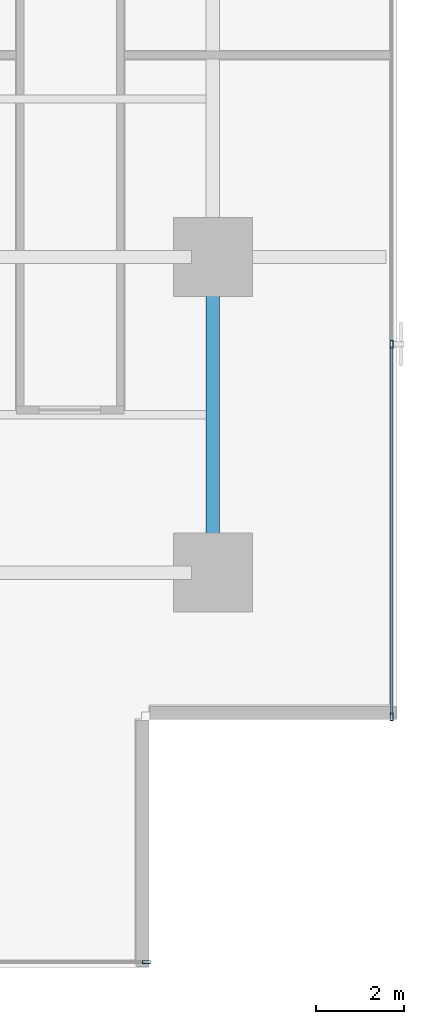
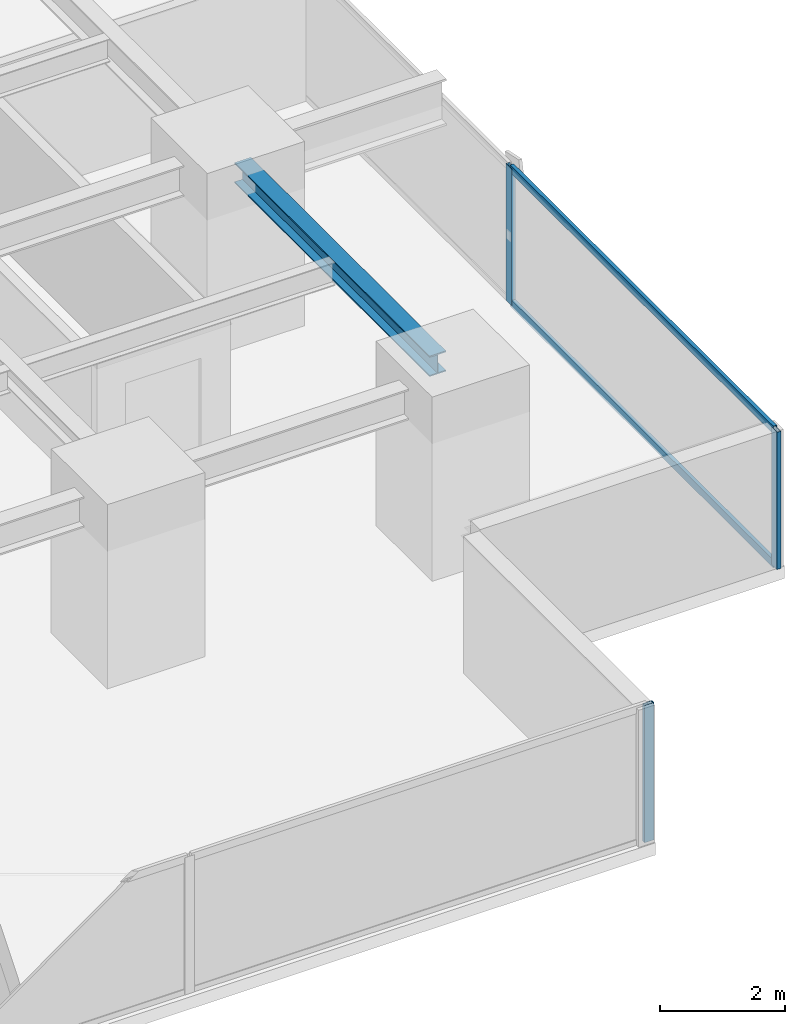
# One storey, part 13 of 33: 5 members, 1 beam, 2 elements without a shape of their own.
"""IFC4 building model written with IfcOpenShell, lengths in metres."""

from ifc_helpers import new_model, si_unit, direction, frame, origin, origin_2d, place, context, subcontext, project, spatial, hollow_rectangle, i_section, extrude, source, transform, mapped, material, layer, layer_set, material_profile, profile_set, type_object, element, aggregate, save


model = new_model("IFC4")

# Units and contexts
model_context = context("Model", 3, precision=1e-05, world=origin(), true_north=direction((0.0, 1.0)))
body_context = subcontext(model_context, "Body", "Model", "MODEL_VIEW")
ifc_project = project(units=[si_unit("LENGTHUNIT", "METRE"), si_unit("AREAUNIT", "SQUARE_METRE"), si_unit("VOLUMEUNIT", "CUBIC_METRE"), si_unit("PLANEANGLEUNIT", "RADIAN"), si_unit("MASSUNIT", "GRAM", prefix="KILO")], contexts=[model_context])

# Site, building, storey
site_placement = place(None, origin())
site = spatial("IfcSite", under=ifc_project, at=site_placement, CompositionType="ELEMENT")
building_placement = place(site_placement, origin())
building = spatial("IfcBuilding", under=site, at=building_placement, Name="Sumidabori Civic Tower", CompositionType="ELEMENT")
storey_placement = place(building_placement, frame((0.0, 0.0, 66.800048828125)))
storey = spatial("IfcBuildingStorey", under=building, at=storey_placement, Name="L17", CompositionType="ELEMENT", Elevation=66.800048828125)

# Beam
ifc_material_1 = material(Name="Steel SN490", Category="steel")
ifc_material_profile_1 = material_profile(ifc_material_1, i_section(OverallWidth=0.300048828125, OverallDepth=0.39990234375, WebThickness=0.013427734375, FlangeThickness=0.02392578125, at=origin_2d()), Name="HE 400 B")
ifc_profile_set_1 = profile_set([ifc_material_profile_1], Name="Steel SN490")
beam_type = type_object("IfcBeamType", Name="BM-GIRD-400", PredefinedType="BEAM", material=ifc_profile_set_1)
shared_shape_1 = source(origin(), body_context, "Body", "SweptSolid", [
    extrude(i_section(OverallWidth=0.300048828125, OverallDepth=0.39990234375, WebThickness=0.013427734375, FlangeThickness=0.02392578125, at=origin_2d()), origin(), (0.0, 0.0, 1.0), 6.239990234375),
])
beam_placement = place(storey_placement, frame((22.800048828125, -17.52001953125, 3.099853515625), z_axis=(0.0, 1.0, 0.0), x_axis=(-1.0, 0.0, 0.0)))
element("IfcBeam", 1, at=beam_placement, inside=storey, type_object=beam_type, Name="Primary Girder L17 GY-39", PredefinedType="BEAM", context=body_context, shape_type="MappedRepresentation", body=[
    mapped(shared_shape_1, transform((0.0, 0.0, 0.0), x_axis=(1.0, 0.0, 0.0), y_axis=(0.0, 1.0, 0.0), z_axis=(0.0, 0.0, 1.0), scale=1.0)),
])

# Curtain wall, members
ifc_material_2 = material(Name="Anodised Bronze Aluminium AW-6063-T6", Category="aluminium")
ifc_layer = layer(ifc_material_2, 0.179931640625, Name="Anodised Bronze Aluminium AW-6063-T6")
ifc_layer_set = layer_set([ifc_layer], Name="Anodised Bronze Aluminium AW-6063-T6")
curtain_wall_type = type_object("IfcCurtainWallType", Name="CW-SYS-2", PredefinedType="NOTDEFINED", material=ifc_layer_set)
curtain_wall_1_placement = place(storey_placement, origin())
curtain_wall_1 = element("IfcCurtainWall", 2, at=curtain_wall_1_placement, inside=storey, type_object=curtain_wall_type, Name="Curtain Wall CW:L17:R04", PredefinedType="NOTDEFINED")
ifc_material_profile_2 = material_profile(ifc_material_2, hollow_rectangle(XDim=0.06494140625, YDim=0.14990234375, WallThickness=0.0048828125, at=origin_2d()), Name="ALU TRANSOM 150x65")
ifc_profile_set_2 = profile_set([ifc_material_profile_2], Name="Anodised Bronze Aluminium AW-6063-T6")
member_type_1 = type_object("IfcMemberType", Name="CW-TRN-150", PredefinedType="USERDEFINED", material=ifc_profile_set_2)
shared_shape_2 = source(origin(), body_context, "Body", "SweptSolid", [
    extrude(hollow_rectangle(XDim=0.06494140625, YDim=0.14990234375, WallThickness=0.0048828125, at=origin_2d()), origin(), (0.0, 0.0, 1.0), 8.423095703125),
])
member_1_placement = place(storey_placement, frame((26.8798828125, -21.25, 0.032470703125), z_axis=(0.0, 1.0, 0.0), x_axis=(-1.0, 0.0, 0.0)))
member_1 = element("IfcMember", 3, at=member_1_placement, type_object=member_type_1, Name="CW-2 transom 1.1", ObjectType="TRANSOM", PredefinedType="USERDEFINED", context=body_context, shape_type="MappedRepresentation", body=[
    mapped(shared_shape_2, transform((0.0, 0.0, 0.0), x_axis=(1.0, 0.0, 0.0), y_axis=(0.0, 1.0, 0.0), z_axis=(0.0, 0.0, 1.0), scale=1.0)),
])
member_2_placement = place(storey_placement, frame((26.8798828125, -21.25, 2.6474609375), z_axis=(0.0, 1.0, 0.0), x_axis=(-1.0, 0.0, 0.0)))
member_2 = element("IfcMember", 4, at=member_2_placement, type_object=member_type_1, Name="CW-2 transom 1.2", ObjectType="TRANSOM", PredefinedType="USERDEFINED", context=body_context, shape_type="MappedRepresentation", body=[
    mapped(shared_shape_2, transform((0.0, 0.0, 0.0), x_axis=(1.0, 0.0, 0.0), y_axis=(0.0, 1.0, 0.0), z_axis=(0.0, 0.0, 1.0), scale=1.0)),
])

# Curtain wall, member
curtain_wall_2_placement = place(storey_placement, origin())
curtain_wall_2 = element("IfcCurtainWall", 5, at=curtain_wall_2_placement, inside=storey, type_object=curtain_wall_type, Name="Curtain Wall CW:L17:R01", PredefinedType="NOTDEFINED")
ifc_material_profile_3 = material_profile(ifc_material_2, hollow_rectangle(XDim=0.070068359375, YDim=0.179931640625, WallThickness=0.006103515625, at=origin_2d()), Name="ALU MULLION 180x70")
ifc_profile_set_3 = profile_set([ifc_material_profile_3], Name="Anodised Bronze Aluminium AW-6063-T6")
member_type_2 = type_object("IfcMemberType", Name="CW-MUL-180", PredefinedType="MULLION", material=ifc_profile_set_3)
shared_shape_3 = source(origin(), body_context, "Body", "SweptSolid", [
    extrude(hollow_rectangle(XDim=0.070068359375, YDim=0.179931640625, WallThickness=0.006103515625, at=origin_2d()), origin(), (0.0, 0.0, 1.0), 2.679931640625),
])
member_3_placement = place(storey_placement, frame((21.284912109375, -26.8798828125, 0.0), z_axis=(0.0, 0.0, 1.0), x_axis=(0.0, 1.0, 0.0)))
member_3 = element("IfcMember", 6, at=member_3_placement, type_object=member_type_2, Name="CW-2 mullion 6", PredefinedType="MULLION", context=body_context, shape_type="MappedRepresentation", body=[
    mapped(shared_shape_3, transform((0.0, 0.0, 0.0), x_axis=(1.0, 0.0, 0.0), y_axis=(0.0, 1.0, 0.0), z_axis=(0.0, 0.0, 1.0), scale=1.0)),
])
aggregate(curtain_wall_2, [member_3])

# Member
member_4_placement = place(storey_placement, frame((26.8798828125, -21.284912109375, 0.0), z_axis=(0.0, 0.0, 1.0), x_axis=(-1.0, 0.0, 0.0)))
member_4 = element("IfcMember", 7, at=member_4_placement, type_object=member_type_2, Name="CW-2 mullion 1", PredefinedType="MULLION", context=body_context, shape_type="MappedRepresentation", body=[
    mapped(shared_shape_3, transform((0.0, 0.0, 0.0), x_axis=(1.0, 0.0, 0.0), y_axis=(0.0, 1.0, 0.0), z_axis=(0.0, 0.0, 1.0), scale=1.0)),
])

member_5_placement = place(storey_placement, frame((26.8798828125, -12.7919921875, 0.0), z_axis=(0.0, 0.0, 1.0), x_axis=(-1.0, 0.0, 0.0)))
member_5 = element("IfcMember", 8, at=member_5_placement, type_object=member_type_2, Name="CW-2 mullion 2", PredefinedType="MULLION", context=body_context, shape_type="MappedRepresentation", body=[
    mapped(shared_shape_3, transform((0.0, 0.0, 0.0), x_axis=(1.0, 0.0, 0.0), y_axis=(0.0, 1.0, 0.0), z_axis=(0.0, 0.0, 1.0), scale=1.0)),
])

aggregate(curtain_wall_1, [member_4, member_5, member_1, member_2])

save(model, "model.ifc")
